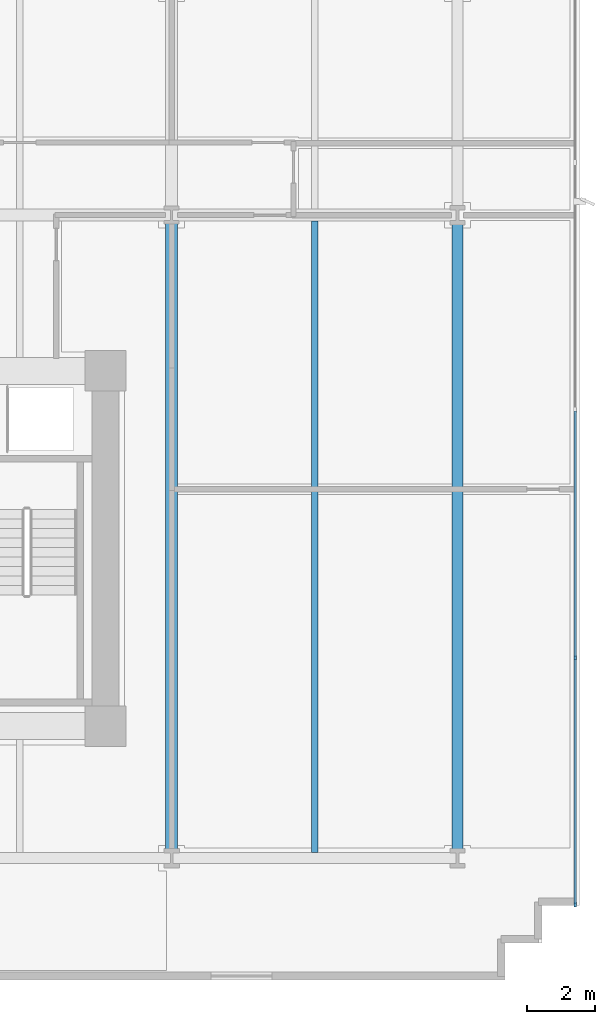
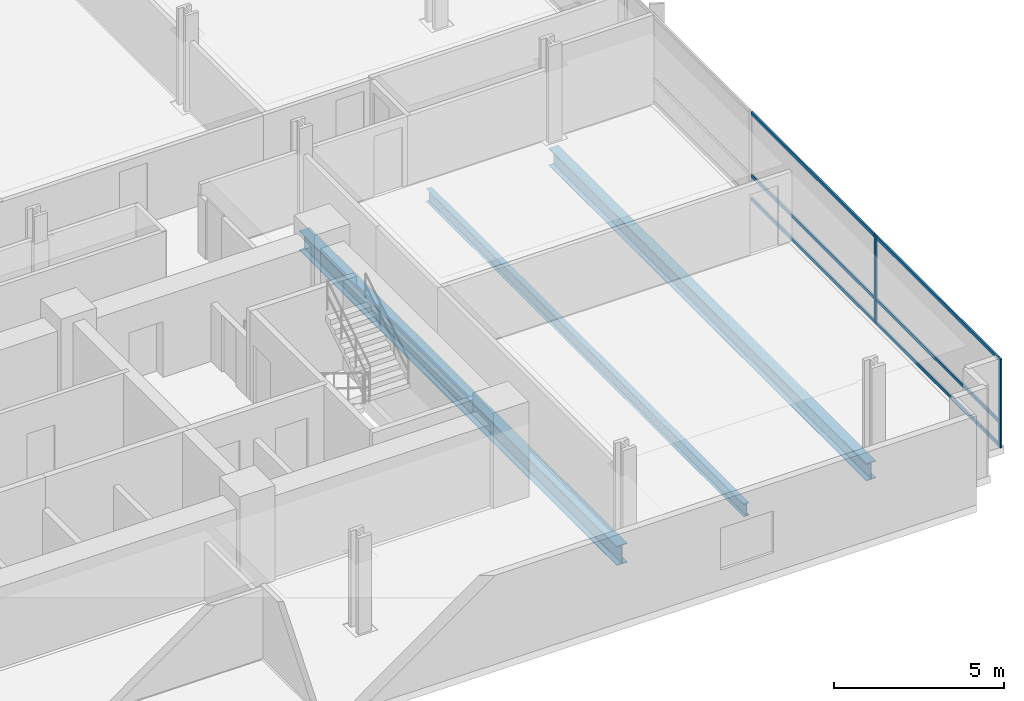
# One storey, part 6 of 20: 8 members, 3 beams, 1 element without a shape of its own.
"""IFC4 building model written with IfcOpenShell, lengths in metres."""

from ifc_helpers import new_model, si_unit, direction, frame, origin, origin_2d, place, context, subcontext, project, spatial, rectangle, i_section, extrude, material, material_profile, profile_set, type_object, element, aggregate, save


model = new_model("IFC4")

# Units and contexts
model_context = context("Model", 3, precision=1e-05, world=origin(), true_north=direction((0.0, 1.0)))
body_context = subcontext(model_context, "Body", "Model", "MODEL_VIEW")
ifc_project = project(units=[si_unit("LENGTHUNIT", "METRE"), si_unit("AREAUNIT", "SQUARE_METRE"), si_unit("VOLUMEUNIT", "CUBIC_METRE"), si_unit("PLANEANGLEUNIT", "RADIAN"), si_unit("MASSUNIT", "GRAM", prefix="KILO")], contexts=[model_context])

# Site, building, storey
site_placement = place(None, origin())
site = spatial("IfcSite", under=ifc_project, at=site_placement, CompositionType="ELEMENT")
building_placement = place(site_placement, origin())
building = spatial("IfcBuilding", under=site, at=building_placement, Name="Solmavex Isthmus Hotel", CompositionType="ELEMENT")
storey_placement = place(building_placement, frame((0.0, 0.0, 57.449951171875)))
storey = spatial("IfcBuildingStorey", under=building, at=storey_placement, Name="L15", CompositionType="ELEMENT", Elevation=57.449951171875)

# Beams
ifc_material_1 = material(Name="Steel ASTM A992 Grade 50", Category="steel")
ifc_material_profile_1 = material_profile(ifc_material_1, i_section(OverallWidth=0.354736328125, OverallDepth=0.695556640625, WebThickness=0.015380859375, FlangeThickness=0.02490234375, FilletRadius=0.017822265625, at=origin_2d()), Name="W27X146")
ifc_profile_set_1 = profile_set([ifc_material_profile_1], Name="Steel ASTM A992 Grade 50")
beam_type_1 = type_object("IfcBeamType", Name="BM-BG-W27X146", PredefinedType="BEAM", material=ifc_profile_set_1)
beam_1_placement = place(storey_placement, frame((17.951904296875, -16.73681640625, -0.607666015625), z_axis=(0.0, 1.0, 0.0), x_axis=(-1.0, 0.0, 0.0)))
element("IfcBeam", 1, at=beam_1_placement, inside=storey, type_object=beam_type_1, Name="Floor Beam L15-VG43", PredefinedType="BEAM", context=body_context, shape_type="SweptSolid", body=[
    extrude(i_section(OverallWidth=0.354736328125, OverallDepth=0.695556640625, WebThickness=0.015380859375, FlangeThickness=0.02490234375, FilletRadius=0.017822265625, at=origin_2d()), origin(), (0.0, 0.0, 1.0), 18.659423828125),
])
ifc_material_profile_2 = material_profile(ifc_material_1, i_section(OverallWidth=0.1904296875, OverallDepth=0.456787109375, WebThickness=0.009033203125, FlangeThickness=0.014404296875, FilletRadius=0.0126953125, at=origin_2d()), Name="W18X50")
ifc_profile_set_2 = profile_set([ifc_material_profile_2], Name="Steel ASTM A992 Grade 50")
beam_type_2 = type_object("IfcBeamType", Name="BM-BJ-W18X50", PredefinedType="JOIST", material=ifc_profile_set_2)
beam_2_placement = place(storey_placement, frame((22.176025390625, -16.73681640625, -0.48828125), z_axis=(0.0, 1.0, 0.0), x_axis=(-1.0, 0.0, 0.0)))
element("IfcBeam", 2, at=beam_2_placement, inside=storey, type_object=beam_type_2, Name="Secondary Floor Joist L15-J20", PredefinedType="JOIST", context=body_context, shape_type="SweptSolid", body=[
    extrude(i_section(OverallWidth=0.1904296875, OverallDepth=0.456787109375, WebThickness=0.009033203125, FlangeThickness=0.014404296875, FilletRadius=0.0126953125, at=origin_2d()), origin(), (0.0, 0.0, 1.0), 18.659423828125),
])
ifc_material_profile_3 = material_profile(ifc_material_1, i_section(OverallWidth=0.326416015625, OverallDepth=0.621826171875, WebThickness=0.015380859375, FlangeThickness=0.0244140625, FilletRadius=0.01513671875, at=origin_2d()), Name="W24X131")
ifc_profile_set_3 = profile_set([ifc_material_profile_3], Name="Steel ASTM A992 Grade 50")
beam_type_3 = type_object("IfcBeamType", Name="BM-SP-W24X131", PredefinedType="SPANDREL", material=ifc_profile_set_3)
beam_3_placement = place(storey_placement, frame((26.39990234375, -16.73681640625, -0.57080078125), z_axis=(0.0, 1.0, 0.0), x_axis=(-1.0, 0.0, 0.0)))
element("IfcBeam", 3, at=beam_3_placement, inside=storey, type_object=beam_type_3, Name="Floor Beam L15-VG46", PredefinedType="SPANDREL", context=body_context, shape_type="SweptSolid", body=[
    extrude(i_section(OverallWidth=0.326416015625, OverallDepth=0.621826171875, WebThickness=0.015380859375, FlangeThickness=0.0244140625, FilletRadius=0.01513671875, at=origin_2d()), origin(), (0.0, 0.0, 1.0), 18.659423828125),
])

# Curtain wall, members
ifc_material_2 = material(Name="Aluminium alloy 6063-T6", Category="aluminium")
curtain_wall_type = type_object("IfcCurtainWallType", Name="CW-SYS-06", PredefinedType="NOTDEFINED", material=ifc_material_2)
curtain_wall_placement = place(storey_placement, origin())
curtain_wall = element("IfcCurtainWall", 4, at=curtain_wall_placement, inside=storey, type_object=curtain_wall_type, Name="Stick Curtain Wall CWL-L15-E1", PredefinedType="NOTDEFINED")
ifc_material_profile_4 = material_profile(ifc_material_2, rectangle(XDim=0.06005859375, YDim=0.139892578125, at=origin_2d()), Name="CWM-60X140")
ifc_profile_set_4 = profile_set([ifc_material_profile_4], Name="Aluminium alloy 6063-T6")
member_type_1 = type_object("IfcMemberType", Name="CW-SYS-06-MUL", PredefinedType="MULLION", material=ifc_profile_set_4)
member_1_placement = place(storey_placement, frame((29.8798828125, -18.27001953125, 0.0), z_axis=(0.0, 0.0, 1.0), x_axis=(-1.0, 0.0, 0.0)))
member_1 = element("IfcMember", 5, at=member_1_placement, type_object=member_type_1, Name="CW-06 mullion 1", PredefinedType="MULLION", context=body_context, shape_type="SweptSolid", body=[
    extrude(rectangle(XDim=0.06005859375, YDim=0.139892578125, at=origin_2d()), origin(), (0.0, 0.0, 1.0), 3.18994140625),
])
member_2_placement = place(storey_placement, frame((29.8798828125, -10.97998046875, 0.0), z_axis=(0.0, 0.0, 1.0), x_axis=(-1.0, 0.0, 0.0)))
member_2 = element("IfcMember", 6, at=member_2_placement, type_object=member_type_1, Name="CW-06 mullion 2", PredefinedType="MULLION", context=body_context, shape_type="SweptSolid", body=[
    extrude(rectangle(XDim=0.06005859375, YDim=0.139892578125, at=origin_2d()), origin(), (0.0, 0.0, 1.0), 3.18994140625),
])
ifc_material_profile_5 = material_profile(ifc_material_2, rectangle(XDim=0.06005859375, YDim=0.114990234375, at=origin_2d()), Name="CWT-60X115")
ifc_profile_set_5 = profile_set([ifc_material_profile_5], Name="Aluminium alloy 6063-T6")
member_type_2 = type_object("IfcMemberType", Name="CW-SYS-06-TRN", PredefinedType="USERDEFINED", material=ifc_profile_set_5)
member_3_placement = place(storey_placement, frame((29.8798828125, -18.239990234375, 0.0576171875), z_axis=(0.0, 1.0, 0.0), x_axis=(-1.0, 0.0, 0.0)))
member_3 = element("IfcMember", 7, at=member_3_placement, type_object=member_type_2, Name="CW-06 transom 1.1", ObjectType="TRANSOM", PredefinedType="USERDEFINED", context=body_context, shape_type="SweptSolid", body=[
    extrude(rectangle(XDim=0.06005859375, YDim=0.114990234375, at=origin_2d()), origin(), (0.0, 0.0, 1.0), 7.22998046875),
])
member_4_placement = place(storey_placement, frame((29.8798828125, -18.239990234375, 0.900146484375), z_axis=(0.0, 1.0, 0.0), x_axis=(-1.0, 0.0, 0.0)))
member_4 = element("IfcMember", 8, at=member_4_placement, type_object=member_type_2, Name="CW-06 transom 1.2", ObjectType="TRANSOM", PredefinedType="USERDEFINED", context=body_context, shape_type="SweptSolid", body=[
    extrude(rectangle(XDim=0.06005859375, YDim=0.114990234375, at=origin_2d()), origin(), (0.0, 0.0, 1.0), 7.22998046875),
])
member_5_placement = place(storey_placement, frame((29.8798828125, -18.239990234375, 3.132568359375), z_axis=(0.0, 1.0, 0.0), x_axis=(-1.0, 0.0, 0.0)))
member_5 = element("IfcMember", 9, at=member_5_placement, type_object=member_type_2, Name="CW-06 transom 1.3", ObjectType="TRANSOM", PredefinedType="USERDEFINED", context=body_context, shape_type="SweptSolid", body=[
    extrude(rectangle(XDim=0.06005859375, YDim=0.114990234375, at=origin_2d()), origin(), (0.0, 0.0, 1.0), 7.22998046875),
])
member_6_placement = place(storey_placement, frame((29.8798828125, -10.949951171875, 0.0576171875), z_axis=(0.0, 1.0, 0.0), x_axis=(-1.0, 0.0, 0.0)))
member_6 = element("IfcMember", 10, at=member_6_placement, type_object=member_type_2, Name="CW-06 transom 2.1", ObjectType="TRANSOM", PredefinedType="USERDEFINED", context=body_context, shape_type="SweptSolid", body=[
    extrude(rectangle(XDim=0.06005859375, YDim=0.114990234375, at=origin_2d()), origin(), (0.0, 0.0, 1.0), 7.260009765625),
])
member_7_placement = place(storey_placement, frame((29.8798828125, -10.949951171875, 0.900146484375), z_axis=(0.0, 1.0, 0.0), x_axis=(-1.0, 0.0, 0.0)))
member_7 = element("IfcMember", 11, at=member_7_placement, type_object=member_type_2, Name="CW-06 transom 2.2", ObjectType="TRANSOM", PredefinedType="USERDEFINED", context=body_context, shape_type="SweptSolid", body=[
    extrude(rectangle(XDim=0.06005859375, YDim=0.114990234375, at=origin_2d()), origin(), (0.0, 0.0, 1.0), 7.260009765625),
])
member_8_placement = place(storey_placement, frame((29.8798828125, -10.949951171875, 3.132568359375), z_axis=(0.0, 1.0, 0.0), x_axis=(-1.0, 0.0, 0.0)))
member_8 = element("IfcMember", 12, at=member_8_placement, type_object=member_type_2, Name="CW-06 transom 2.3", ObjectType="TRANSOM", PredefinedType="USERDEFINED", context=body_context, shape_type="SweptSolid", body=[
    extrude(rectangle(XDim=0.06005859375, YDim=0.114990234375, at=origin_2d()), origin(), (0.0, 0.0, 1.0), 7.260009765625),
])
aggregate(curtain_wall, [member_1, member_2, member_3, member_4, member_5, member_6, member_7, member_8])

save(model, "model.ifc")
